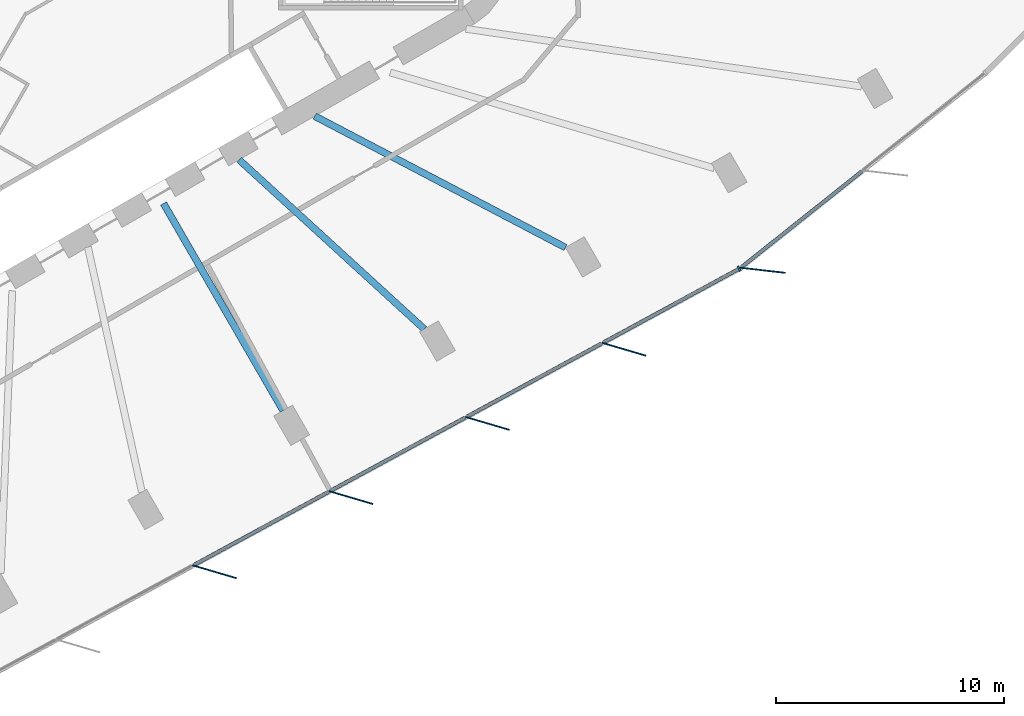
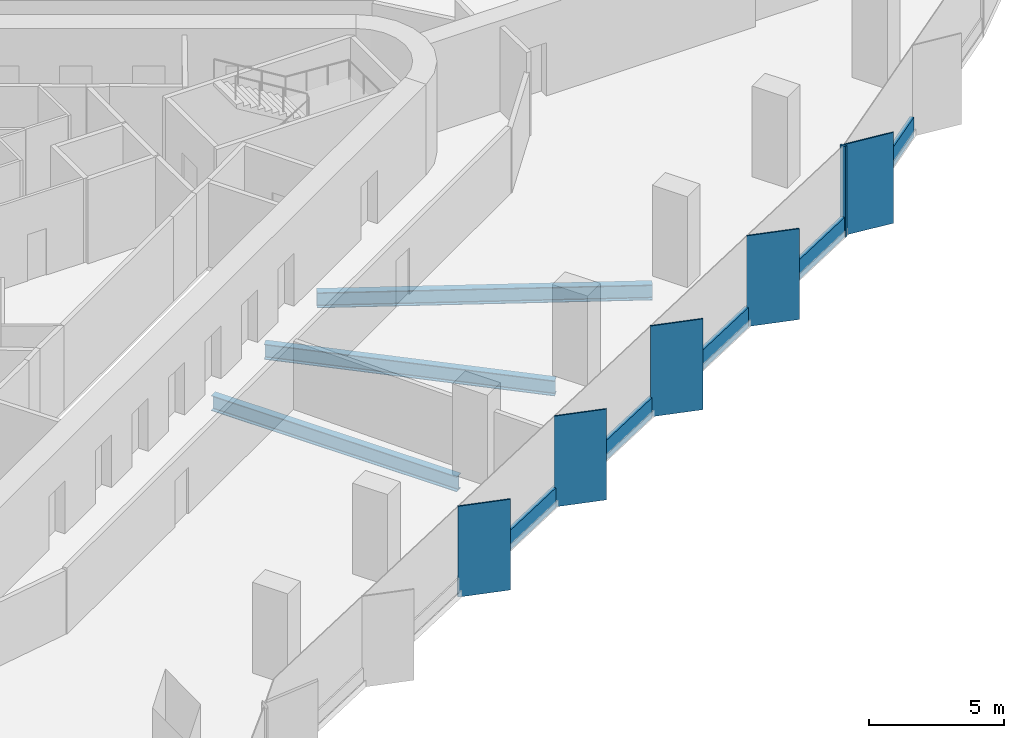
# One storey, part 3 of 13: 11 members, 3 beams, 2 elements without a shape of their own.
"""IFC4 building model written with IfcOpenShell, lengths in metres."""

from ifc_helpers import new_model, si_unit, direction, frame, origin, origin_2d, place, context, subcontext, project, spatial, rectangle, i_section, extrude, material, material_profile, profile_set, type_object, element, aggregate, save


model = new_model("IFC4")

# Units and contexts
model_context = context("Model", 3, precision=1e-05, world=origin(), true_north=direction((0.0, 1.0)))
body_context = subcontext(model_context, "Body", "Model", "MODEL_VIEW")
ifc_project = project(units=[si_unit("LENGTHUNIT", "METRE"), si_unit("AREAUNIT", "SQUARE_METRE"), si_unit("VOLUMEUNIT", "CUBIC_METRE"), si_unit("PLANEANGLEUNIT", "RADIAN"), si_unit("MASSUNIT", "GRAM", prefix="KILO")], contexts=[model_context])

# Site, building, storey
site_placement = place(None, origin())
site = spatial("IfcSite", under=ifc_project, at=site_placement, CompositionType="ELEMENT")
building_placement = place(site_placement, origin())
building = spatial("IfcBuilding", under=site, at=building_placement, Name="Tanit Gate Tower", CompositionType="ELEMENT")
storey_placement = place(building_placement, frame((0.0, 0.0, 66.0)))
storey = spatial("IfcBuildingStorey", under=building, at=storey_placement, Name="L12", CompositionType="ELEMENT", Elevation=66.0)

# Curtain wall, members
ifc_material_1 = material(Name="Aluminium bronze anodised and glass", Category="aluminium")
curtain_wall_type = type_object("IfcCurtainWallType", Name="Curtain wall typical low", PredefinedType="NOTDEFINED", material=ifc_material_1)
curtain_wall_1_placement = place(storey_placement, origin())
curtain_wall_1 = element("IfcCurtainWall", 1, at=curtain_wall_1_placement, inside=storey, type_object=curtain_wall_type, Name="Curtain wall L12 SE2", PredefinedType="NOTDEFINED")
ifc_material_2 = material(Name="Aluminium bronze anodised", Category="aluminium")
ifc_material_profile_1 = material_profile(ifc_material_2, rectangle(XDim=2.0, YDim=0.055908203125, at=origin_2d()), Name="56x2000 bronze fin mullion")
ifc_profile_set_1 = profile_set([ifc_material_profile_1], Name="Aluminium bronze anodised")
member_type_1 = type_object("IfcMemberType", Name="FIN MULLION 56x2000 bronze", PredefinedType="MULLION", material=ifc_profile_set_1)
member_1_placement = place(storey_placement, frame((8.287841796875, -26.641357421875, -0.300048828125), z_axis=(0.0, 0.0, 1.0), x_axis=(-0.958891574692, 0.28377270479, 0.0)))
member_1 = element("IfcMember", 2, at=member_1_placement, type_object=member_type_1, Name="Fin mullion L12 SE2.3", PredefinedType="MULLION", context=body_context, shape_type="SweptSolid", body=[
    extrude(rectangle(XDim=2.0, YDim=0.055908203125, at=origin_2d()), origin(), (0.0, 0.0, 1.0), 4.10009765625),
])
member_2_placement = place(storey_placement, frame((14.278564453125, -23.386962890625, -0.300048828125), z_axis=(0.0, 0.0, 1.0), x_axis=(-0.958891574692, 0.28377270479, 0.0)))
member_2 = element("IfcMember", 3, at=member_2_placement, type_object=member_type_1, Name="Fin mullion L12 SE2.4", PredefinedType="MULLION", context=body_context, shape_type="SweptSolid", body=[
    extrude(rectangle(XDim=2.0, YDim=0.055908203125, at=origin_2d()), origin(), (0.0, 0.0, 1.0), 4.10009765625),
])
member_3_placement = place(storey_placement, frame((20.269287109375, -20.13232421875, -0.300048828125), z_axis=(0.0, 0.0, 1.0), x_axis=(-0.958891574692, 0.28377270479, 0.0)))
member_3 = element("IfcMember", 4, at=member_3_placement, type_object=member_type_1, Name="Fin mullion L12 SE2.5", PredefinedType="MULLION", context=body_context, shape_type="SweptSolid", body=[
    extrude(rectangle(XDim=2.0, YDim=0.055908203125, at=origin_2d()), origin(), (0.0, 0.0, 1.0), 4.10009765625),
])
member_4_placement = place(storey_placement, frame((26.260009765625, -16.877685546875, -0.300048828125), z_axis=(0.0, 0.0, 1.0), x_axis=(-0.958891574692, 0.28377270479, 0.0)))
member_4 = element("IfcMember", 5, at=member_4_placement, type_object=member_type_1, Name="Fin mullion L12 SE2.6", PredefinedType="MULLION", context=body_context, shape_type="SweptSolid", body=[
    extrude(rectangle(XDim=2.0, YDim=0.055908203125, at=origin_2d()), origin(), (0.0, 0.0, 1.0), 4.10009765625),
])

# Curtain wall, member
curtain_wall_2_placement = place(storey_placement, origin())
curtain_wall_2 = element("IfcCurtainWall", 6, at=curtain_wall_2_placement, inside=storey, type_object=curtain_wall_type, Name="Curtain wall L12 SE3", PredefinedType="NOTDEFINED")
member_5_placement = place(storey_placement, frame((32.350830078125, -13.412353515625, -0.300048828125), z_axis=(0.0, 0.0, 1.0), x_axis=(-0.993566182952, 0.113252991549, 0.0)))
member_5 = element("IfcMember", 7, at=member_5_placement, type_object=member_type_1, Name="Fin mullion L12 SE3.1", PredefinedType="MULLION", context=body_context, shape_type="SweptSolid", body=[
    extrude(rectangle(XDim=2.0, YDim=0.055908203125, at=origin_2d()), origin(), (0.0, 0.0, 1.0), 4.10009765625),
])

# Member
ifc_material_3 = material(Name="Aluminium bronze anodised", Category="aluminium")
ifc_material_profile_2 = material_profile(ifc_material_3, rectangle(XDim=0.239990234375, YDim=0.080078125, at=origin_2d()), Name="80x240 bronze mullion")
ifc_profile_set_2 = profile_set([ifc_material_profile_2], Name="Aluminium bronze anodised")
member_type_2 = type_object("IfcMemberType", Name="Mullion 80x240 typical low", PredefinedType="MULLION", material=ifc_profile_set_2)
member_6_placement = place(storey_placement, frame((31.313232421875, -13.345703125, -0.300048828125), z_axis=(0.0, 0.0, 1.0), x_axis=(-0.477381131015, 0.87869633876, 0.0)))
member_6 = element("IfcMember", 8, at=member_6_placement, type_object=member_type_2, Name="Mullion L12 SE2.7", PredefinedType="MULLION", context=body_context, shape_type="SweptSolid", body=[
    extrude(rectangle(XDim=0.239990234375, YDim=0.080078125, at=origin_2d()), origin(), (0.0, 0.0, 1.0), 4.10009765625),
])

# Beams
ifc_material_4 = material(Name="Steel S355", Category="steel")
ifc_material_profile_3 = material_profile(ifc_material_4, i_section(OverallWidth=0.300048828125, OverallDepth=0.68994140625, WebThickness=0.014404296875, FlangeThickness=0.027099609375, FilletRadius=0.027099609375, at=origin_2d()), Name="HEA 700")
ifc_profile_set_3 = profile_set([ifc_material_profile_3], Name="Steel S355")
beam_type = type_object("IfcBeamType", Name="RADIAL GIRDER HEA 700 S355", PredefinedType="BEAM", material=ifc_profile_set_3)
beam_1_placement = place(storey_placement, frame((11.29736328125, -19.5673828125, -0.64501953125), z_axis=(-0.500010476433, 0.866019355129, 0.0), x_axis=(-0.866019355129, -0.500010476433, 0.0)))
element("IfcBeam", 9, at=beam_1_placement, inside=storey, type_object=beam_type, Name="RADIAL GIRDER", PredefinedType="BEAM", context=body_context, shape_type="SweptSolid", body=[
    extrude(i_section(OverallWidth=0.300048828125, OverallDepth=0.68994140625, WebThickness=0.014404296875, FlangeThickness=0.027099609375, FilletRadius=0.027099609375, at=origin_2d()), origin(), (0.0, 0.0, 1.0), 10.492431640625),
])
beam_2_placement = place(storey_placement, frame((17.492919921875, -15.990478515625, -0.64501953125), z_axis=(-0.738094457914, 0.674697392315, 0.0), x_axis=(-0.674697392315, -0.738094457914, 0.0)))
element("IfcBeam", 10, at=beam_2_placement, inside=storey, type_object=beam_type, Name="RADIAL GIRDER", PredefinedType="BEAM", context=body_context, shape_type="SweptSolid", body=[
    extrude(i_section(OverallWidth=0.300048828125, OverallDepth=0.68994140625, WebThickness=0.014404296875, FlangeThickness=0.027099609375, FilletRadius=0.027099609375, at=origin_2d()), origin(), (0.0, 0.0, 1.0), 11.006103515625),
])
beam_3_placement = place(storey_placement, frame((23.688232421875, -12.413330078125, -0.64501953125), z_axis=(-0.885753028524, 0.464156840368, 0.0), x_axis=(-0.464156840368, -0.885753028524, 0.0)))
element("IfcBeam", 11, at=beam_3_placement, inside=storey, type_object=beam_type, Name="RADIAL GIRDER", PredefinedType="BEAM", context=body_context, shape_type="SweptSolid", body=[
    extrude(i_section(OverallWidth=0.300048828125, OverallDepth=0.68994140625, WebThickness=0.014404296875, FlangeThickness=0.027099609375, FilletRadius=0.027099609375, at=origin_2d()), origin(), (0.0, 0.0, 1.0), 12.419189453125),
])

# Member
ifc_material_5 = material(Name="Aluminium bronze anodised", Category="aluminium")
ifc_material_profile_4 = material_profile(ifc_material_5, rectangle(XDim=0.159912109375, YDim=0.89990234375, at=origin_2d()), Name="160x900 bronze transom")
ifc_profile_set_4 = profile_set([ifc_material_profile_4], Name="Aluminium bronze anodised")
member_type_3 = type_object("IfcMemberType", Name="Transom 160x900 typical low", PredefinedType="USERDEFINED", material=ifc_profile_set_4)
member_7_placement = place(storey_placement, frame((7.385986328125, -26.344970703125, 0.14990234375), z_axis=(0.878705798201, 0.47736371899, 0.0), x_axis=(-0.47736371899, 0.878705798201, 0.0)))
member_7 = element("IfcMember", 12, at=member_7_placement, type_object=member_type_3, Name="Transom L12 SE2.3", ObjectType="TRANSOM", PredefinedType="USERDEFINED", context=body_context, shape_type="SweptSolid", body=[
    extrude(rectangle(XDim=0.159912109375, YDim=0.89990234375, at=origin_2d()), origin(), (0.0, 0.0, 1.0), 6.737548828125),
])

member_8_placement = place(storey_placement, frame((13.37646484375, -23.09033203125, 0.14990234375), z_axis=(0.878705798201, 0.47736371899, 0.0), x_axis=(-0.47736371899, 0.878705798201, 0.0)))
member_8 = element("IfcMember", 13, at=member_8_placement, type_object=member_type_3, Name="Transom L12 SE2.4", ObjectType="TRANSOM", PredefinedType="USERDEFINED", context=body_context, shape_type="SweptSolid", body=[
    extrude(rectangle(XDim=0.159912109375, YDim=0.89990234375, at=origin_2d()), origin(), (0.0, 0.0, 1.0), 6.737548828125),
])

member_9_placement = place(storey_placement, frame((19.3671875, -19.835693359375, 0.14990234375), z_axis=(0.878705798201, 0.47736371899, 0.0), x_axis=(-0.47736371899, 0.878705798201, 0.0)))
member_9 = element("IfcMember", 14, at=member_9_placement, type_object=member_type_3, Name="Transom L12 SE2.5", ObjectType="TRANSOM", PredefinedType="USERDEFINED", context=body_context, shape_type="SweptSolid", body=[
    extrude(rectangle(XDim=0.159912109375, YDim=0.89990234375, at=origin_2d()), origin(), (0.0, 0.0, 1.0), 6.737548828125),
])

member_10_placement = place(storey_placement, frame((25.35791015625, -16.5810546875, 0.14990234375), z_axis=(0.878697540649, 0.477378918739, 0.0), x_axis=(-0.477378918739, 0.878697540649, 0.0)))
member_10 = element("IfcMember", 15, at=member_10_placement, type_object=member_type_3, Name="Transom L12 SE2.6", ObjectType="TRANSOM", PredefinedType="USERDEFINED", context=body_context, shape_type="SweptSolid", body=[
    extrude(rectangle(XDim=0.159912109375, YDim=0.89990234375, at=origin_2d()), origin(), (0.0, 0.0, 1.0), 6.737548828125),
])

aggregate(curtain_wall_1, [member_1, member_2, member_3, member_4, member_6, member_7, member_8, member_9, member_10])

member_11_placement = place(storey_placement, frame((31.4111328125, -13.27685546875, 0.14990234375), z_axis=(0.782629768597, 0.622487465983, 0.0), x_axis=(-0.622487465983, 0.782629768597, 0.0)))
member_11 = element("IfcMember", 16, at=member_11_placement, type_object=member_type_3, Name="Transom L12 SE3.1", ObjectType="TRANSOM", PredefinedType="USERDEFINED", context=body_context, shape_type="SweptSolid", body=[
    extrude(rectangle(XDim=0.159912109375, YDim=0.89990234375, at=origin_2d()), origin(), (0.0, 0.0, 1.0), 6.778076171875),
])

aggregate(curtain_wall_2, [member_5, member_11])

save(model, "model.ifc")
